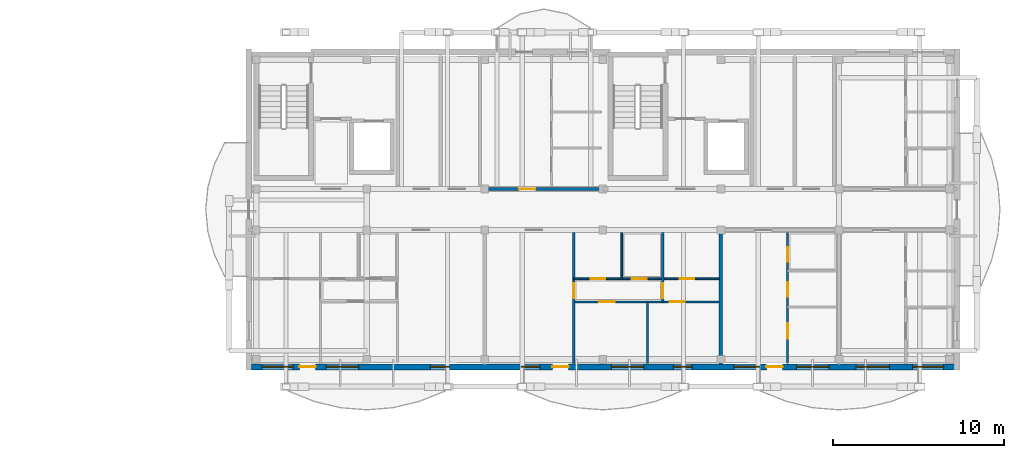
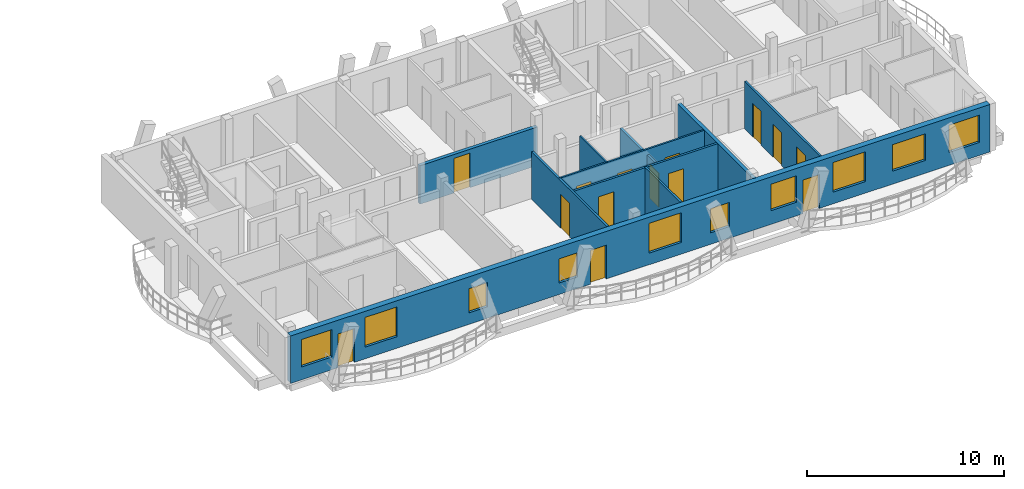
# One storey, part 27 of 44: 14 doors, 10 walls, 10 windows, 24 openings.
"""IFC4 building model written with IfcOpenShell, lengths in metres."""

from ifc_helpers import new_model, si_unit, direction, frame, frame_2d, origin, origin_with_axes, place, context, subcontext, project, spatial, rectangle, extrude, material, layer, layer_set, type_object, element, fill, save


model = new_model("IFC4")

# Units and contexts
model_context = context("Model", 3, precision=1e-05, world=origin(), true_north=direction((0.0, 1.0)))
body_context = subcontext(model_context, "Body", "Model", "MODEL_VIEW")
ifc_project = project(units=[si_unit("LENGTHUNIT", "METRE"), si_unit("AREAUNIT", "SQUARE_METRE"), si_unit("VOLUMEUNIT", "CUBIC_METRE"), si_unit("PLANEANGLEUNIT", "RADIAN"), si_unit("MASSUNIT", "GRAM", prefix="KILO")], contexts=[model_context])

# Site, building, storey
site_placement = place(None, origin())
site = spatial("IfcSite", under=ifc_project, at=site_placement, CompositionType="ELEMENT")
building_placement = place(site_placement, origin())
building = spatial("IfcBuilding", under=site, at=building_placement, Name="Zavelmont Quarter", CompositionType="ELEMENT")
storey_placement = place(building_placement, frame((0.0, 0.0, 20.800048828125)))
storey = spatial("IfcBuildingStorey", under=building, at=storey_placement, Name="L06", CompositionType="ELEMENT", Elevation=20.800048828125)

# Wall, openings, doors, windows
ifc_material_1 = material(Name="Natural Belgian limestone", Category="masonry")
ifc_layer_1 = layer(ifc_material_1, 0.340087890625)
ifc_layer_set_1 = layer_set([ifc_layer_1], Name="Natural Belgian limestone")
wall_type_1 = type_object("IfcWallType", Name="EW03", PredefinedType="STANDARD", material=ifc_layer_set_1)
wall_1_placement = place(storey_placement, frame((126.760009765625, 0.0, 0.0), z_axis=(0.0, 0.0, 1.0), x_axis=(1.0, 0.0, 0.0)))
wall_1 = element("IfcWall", 1, at=wall_1_placement, inside=storey, type_object=wall_type_1, Name="L06 exterior limestone wall EW03", PredefinedType="STANDARD", context=body_context, shape_type="SweptSolid", body=[
    extrude(rectangle(XDim=41.080078125, YDim=0.340087890625, at=frame_2d((20.5400390625, 0.0))), origin(), (0.0, 0.0, 1.0), 2.949951171875),
])
opening_1_placement = place(wall_1_placement, frame((2.79541015625, 0.0, 0.0)))
opening_1 = element("IfcOpeningElement", 2, at=opening_1_placement, cuts=wall_1, Name="Opening DR04", PredefinedType="OPENING", context=body_context, shape_type="SweptSolid", body=[
    extrude(rectangle(XDim=0.949951171875, YDim=2.10009765625, at=frame_2d((0.47509765625, 1.050048828125))), frame((0.0, 0.18212890625, 0.0), z_axis=(0.0, -1.0, 0.0), x_axis=(1.0, 0.0, 0.0)), (0.0, 0.0, 1.0), 0.364013671875),
])
opening_2_placement = place(wall_1_placement, frame((17.59521484375, 0.0, 0.0)))
opening_2 = element("IfcOpeningElement", 3, at=opening_2_placement, cuts=wall_1, Name="Opening DR04", PredefinedType="OPENING", context=body_context, shape_type="SweptSolid", body=[
    extrude(rectangle(XDim=0.949951171875, YDim=2.10009765625, at=frame_2d((0.47509765625, 1.050048828125))), frame((0.0, 0.18212890625, 0.0), z_axis=(0.0, -1.0, 0.0), x_axis=(1.0, 0.0, 0.0)), (0.0, 0.0, 1.0), 0.364013671875),
])
opening_3_placement = place(wall_1_placement, frame((30.09521484375, 0.0, 0.0)))
opening_3 = element("IfcOpeningElement", 4, at=opening_3_placement, cuts=wall_1, Name="Opening DR04", PredefinedType="OPENING", context=body_context, shape_type="SweptSolid", body=[
    extrude(rectangle(XDim=0.949951171875, YDim=2.10009765625, at=frame_2d((0.47509765625, 1.050048828125))), frame((0.0, 0.18212890625, 0.0), z_axis=(0.0, -1.0, 0.0), x_axis=(1.0, 0.0, 0.0)), (0.0, 0.0, 1.0), 0.364013671875),
])
opening_4_placement = place(wall_1_placement, frame((0.6298828125, 0.0, 0.800048828125)))
opening_4 = element("IfcOpeningElement", 5, at=opening_4_placement, cuts=wall_1, Name="Opening WN02", PredefinedType="OPENING", context=body_context, shape_type="SweptSolid", body=[
    extrude(rectangle(XDim=1.800048828125, YDim=1.699951171875, at=frame_2d((0.89990234375, 0.85009765625))), frame((0.0, 0.18212890625, 0.0), z_axis=(0.0, -1.0, 0.0), x_axis=(1.0, 0.0, 0.0)), (0.0, 0.0, 1.0), 0.364013671875),
])
opening_5_placement = place(wall_1_placement, frame((4.360107421875, 0.0, 0.719970703125)))
opening_5 = element("IfcOpeningElement", 6, at=opening_5_placement, cuts=wall_1, Name="Opening WN20", PredefinedType="OPENING", context=body_context, shape_type="SweptSolid", body=[
    extrude(rectangle(XDim=1.89990234375, YDim=1.85009765625, at=frame_2d((0.949951171875, 0.925048828125))), frame((0.0, 0.18212890625, 0.0), z_axis=(0.0, -1.0, 0.0), x_axis=(1.0, 0.0, 0.0)), (0.0, 0.0, 1.0), 0.364013671875),
])
opening_6_placement = place(wall_1_placement, frame((10.4599609375, 0.0, 0.719970703125)))
opening_6 = element("IfcOpeningElement", 7, at=opening_6_placement, cuts=wall_1, Name="Opening WN09", PredefinedType="OPENING", context=body_context, shape_type="SweptSolid", body=[
    extrude(rectangle(XDim=1.10009765625, YDim=1.5, at=frame_2d((0.550048828125, 0.75))), frame((0.0, 0.18212890625, 0.0), z_axis=(0.0, -1.0, 0.0), x_axis=(1.0, 0.0, 0.0)), (0.0, 0.0, 1.0), 0.364013671875),
])
opening_7_placement = place(wall_1_placement, frame((15.760009765625, 0.0, 0.719970703125)))
opening_7 = element("IfcOpeningElement", 8, at=opening_7_placement, cuts=wall_1, Name="Opening WN09", PredefinedType="OPENING", context=body_context, shape_type="SweptSolid", body=[
    extrude(rectangle(XDim=1.10009765625, YDim=1.5, at=frame_2d((0.550048828125, 0.75))), frame((0.0, 0.18212890625, 0.0), z_axis=(0.0, -1.0, 0.0), x_axis=(1.0, 0.0, 0.0)), (0.0, 0.0, 1.0), 0.364013671875),
])
opening_8_placement = place(wall_1_placement, frame((21.04248046875, 0.0, 0.719970703125)))
opening_8 = element("IfcOpeningElement", 9, at=opening_8_placement, cuts=wall_1, Name="Opening WN20", PredefinedType="OPENING", context=body_context, shape_type="SweptSolid", body=[
    extrude(rectangle(XDim=1.89990234375, YDim=1.85009765625, at=frame_2d((0.949951171875, 0.925048828125))), frame((0.0, 0.18212890625, 0.0), z_axis=(0.0, -1.0, 0.0), x_axis=(1.0, 0.0, 0.0)), (0.0, 0.0, 1.0), 0.364013671875),
])
opening_9_placement = place(wall_1_placement, frame((24.659912109375, 0.0, 0.719970703125)))
opening_9 = element("IfcOpeningElement", 10, at=opening_9_placement, cuts=wall_1, Name="Opening WN09", PredefinedType="OPENING", context=body_context, shape_type="SweptSolid", body=[
    extrude(rectangle(XDim=1.10009765625, YDim=1.5, at=frame_2d((0.550048828125, 0.75))), frame((0.0, 0.18212890625, 0.0), z_axis=(0.0, -1.0, 0.0), x_axis=(1.0, 0.0, 0.0)), (0.0, 0.0, 1.0), 0.364013671875),
])
opening_10_placement = place(wall_1_placement, frame((28.2099609375, 0.0, 0.85009765625)))
opening_10 = element("IfcOpeningElement", 11, at=opening_10_placement, cuts=wall_1, Name="Opening WN01", PredefinedType="OPENING", context=body_context, shape_type="SweptSolid", body=[
    extrude(rectangle(XDim=1.5, YDim=1.64990234375, at=frame_2d((0.75, 0.824951171875))), frame((0.0, 0.18212890625, 0.0), z_axis=(0.0, -1.0, 0.0), x_axis=(1.0, 0.0, 0.0)), (0.0, 0.0, 1.0), 0.364013671875),
])
opening_11_placement = place(wall_1_placement, frame((31.860107421875, 0.0, 0.719970703125)))
opening_11 = element("IfcOpeningElement", 12, at=opening_11_placement, cuts=wall_1, Name="Opening WN20", PredefinedType="OPENING", context=body_context, shape_type="SweptSolid", body=[
    extrude(rectangle(XDim=1.89990234375, YDim=1.85009765625, at=frame_2d((0.949951171875, 0.925048828125))), frame((0.0, 0.18212890625, 0.0), z_axis=(0.0, -1.0, 0.0), x_axis=(1.0, 0.0, 0.0)), (0.0, 0.0, 1.0), 0.364013671875),
])
opening_12_placement = place(wall_1_placement, frame((35.3349609375, 0.0, 0.800048828125)))
opening_12 = element("IfcOpeningElement", 13, at=opening_12_placement, cuts=wall_1, Name="Opening WN24", PredefinedType="OPENING", context=body_context, shape_type="SweptSolid", body=[
    extrude(rectangle(XDim=1.949951171875, YDim=1.64990234375, at=frame_2d((0.97509765625, 0.824951171875))), frame((0.0, 0.18212890625, 0.0), z_axis=(0.0, -1.0, 0.0), x_axis=(1.0, 0.0, 0.0)), (0.0, 0.0, 1.0), 0.364013671875),
])
opening_13_placement = place(wall_1_placement, frame((38.64990234375, 0.0, 0.800048828125)))
opening_13 = element("IfcOpeningElement", 14, at=opening_13_placement, cuts=wall_1, Name="Opening WN02", PredefinedType="OPENING", context=body_context, shape_type="SweptSolid", body=[
    extrude(rectangle(XDim=1.800048828125, YDim=1.699951171875, at=frame_2d((0.89990234375, 0.85009765625))), frame((0.0, 0.18212890625, 0.0), z_axis=(0.0, -1.0, 0.0), x_axis=(1.0, 0.0, 0.0)), (0.0, 0.0, 1.0), 0.364013671875),
])
ifc_material_2 = material(Name="Thermally broken aluminium and double safety glass", Category="aluminium")
door_type_1 = type_object("IfcDoorType", Name="DR04", OperationType="NOTDEFINED", PredefinedType="DOOR", material=ifc_material_2)
door_1_placement = place(opening_1_placement, origin_with_axes())
door_1 = element("IfcDoor", 15, at=door_1_placement, inside=storey, type_object=door_type_1, Name="Block D L06 glazed balcony door", OperationType="SINGLE_SWING_RIGHT", OverallHeight=2.10009765625, OverallWidth=0.949951171875, PredefinedType="DOOR", context=body_context, shape_type="SweptSolid", body=[
    extrude(rectangle(XDim=0.949951171875, YDim=2.10009765625, at=frame_2d((0.47509765625, 1.050048828125))), frame((0.0, 0.02490234375, 0.0), z_axis=(0.0, -1.0, 0.0), x_axis=(1.0, 0.0, 0.0)), (0.0, 0.0, 1.0), 0.050048828125),
])
fill(opening_1, door_1)
door_2_placement = place(opening_2_placement, origin_with_axes())
door_2 = element("IfcDoor", 16, at=door_2_placement, inside=storey, type_object=door_type_1, Name="Block D L06 glazed balcony door", OperationType="SINGLE_SWING_RIGHT", OverallHeight=2.10009765625, OverallWidth=0.949951171875, PredefinedType="DOOR", context=body_context, shape_type="SweptSolid", body=[
    extrude(rectangle(XDim=0.949951171875, YDim=2.10009765625, at=frame_2d((0.47509765625, 1.050048828125))), frame((0.0, 0.02490234375, 0.0), z_axis=(0.0, -1.0, 0.0), x_axis=(1.0, 0.0, 0.0)), (0.0, 0.0, 1.0), 0.050048828125),
])
fill(opening_2, door_2)
door_3_placement = place(opening_3_placement, origin_with_axes())
door_3 = element("IfcDoor", 17, at=door_3_placement, inside=storey, type_object=door_type_1, Name="Block D L06 glazed balcony door", OperationType="SINGLE_SWING_RIGHT", OverallHeight=2.10009765625, OverallWidth=0.949951171875, PredefinedType="DOOR", context=body_context, shape_type="SweptSolid", body=[
    extrude(rectangle(XDim=0.949951171875, YDim=2.10009765625, at=frame_2d((0.47509765625, 1.050048828125))), frame((0.0, 0.02490234375, 0.0), z_axis=(0.0, -1.0, 0.0), x_axis=(1.0, 0.0, 0.0)), (0.0, 0.0, 1.0), 0.050048828125),
])
fill(opening_3, door_3)
ifc_material_3 = material(Name="Double low-E insulated glazing in thermally broken aluminium frame", Category="aluminium")
window_type_1 = type_object("IfcWindowType", Name="WN01", PartitioningType="SINGLE_PANEL", PredefinedType="WINDOW", material=ifc_material_3)
window_1_placement = place(opening_10_placement, origin_with_axes())
window_1 = element("IfcWindow", 18, at=window_1_placement, inside=storey, type_object=window_type_1, Name="L06 window WN01", OverallHeight=1.64990234375, OverallWidth=1.5, PartitioningType="SINGLE_PANEL", PredefinedType="WINDOW", context=body_context, shape_type="SweptSolid", body=[
    extrude(rectangle(XDim=1.5, YDim=1.64990234375, at=frame_2d((0.75, 0.824951171875))), frame((0.0, 0.030029296875, 0.0), z_axis=(0.0, -1.0, 0.0), x_axis=(1.0, 0.0, 0.0)), (0.0, 0.0, 1.0), 0.06005859375),
])
fill(opening_10, window_1)
window_type_2 = type_object("IfcWindowType", Name="WN02", PartitioningType="SINGLE_PANEL", PredefinedType="WINDOW", material=ifc_material_3)
window_2_placement = place(opening_4_placement, origin_with_axes())
window_2 = element("IfcWindow", 19, at=window_2_placement, inside=storey, type_object=window_type_2, Name="L06 window WN02", OverallHeight=1.699951171875, OverallWidth=1.800048828125, PartitioningType="SINGLE_PANEL", PredefinedType="WINDOW", context=body_context, shape_type="SweptSolid", body=[
    extrude(rectangle(XDim=1.800048828125, YDim=1.699951171875, at=frame_2d((0.89990234375, 0.85009765625))), frame((0.0, 0.030029296875, 0.0), z_axis=(0.0, -1.0, 0.0), x_axis=(1.0, 0.0, 0.0)), (0.0, 0.0, 1.0), 0.06005859375),
])
fill(opening_4, window_2)
window_3_placement = place(opening_13_placement, origin_with_axes())
window_3 = element("IfcWindow", 20, at=window_3_placement, inside=storey, type_object=window_type_2, Name="L06 window WN02", OverallHeight=1.699951171875, OverallWidth=1.800048828125, PartitioningType="SINGLE_PANEL", PredefinedType="WINDOW", context=body_context, shape_type="SweptSolid", body=[
    extrude(rectangle(XDim=1.800048828125, YDim=1.699951171875, at=frame_2d((0.89990234375, 0.85009765625))), frame((0.0, 0.030029296875, 0.0), z_axis=(0.0, -1.0, 0.0), x_axis=(1.0, 0.0, 0.0)), (0.0, 0.0, 1.0), 0.06005859375),
])
fill(opening_13, window_3)
window_type_3 = type_object("IfcWindowType", Name="WN09", PartitioningType="SINGLE_PANEL", PredefinedType="WINDOW", material=ifc_material_3)
window_4_placement = place(opening_6_placement, origin_with_axes())
window_4 = element("IfcWindow", 21, at=window_4_placement, inside=storey, type_object=window_type_3, Name="L06 window WN09", OverallHeight=1.5, OverallWidth=1.10009765625, PartitioningType="SINGLE_PANEL", PredefinedType="WINDOW", context=body_context, shape_type="SweptSolid", body=[
    extrude(rectangle(XDim=1.10009765625, YDim=1.5, at=frame_2d((0.550048828125, 0.75))), frame((0.0, 0.030029296875, 0.0), z_axis=(0.0, -1.0, 0.0), x_axis=(1.0, 0.0, 0.0)), (0.0, 0.0, 1.0), 0.06005859375),
])
fill(opening_6, window_4)
window_5_placement = place(opening_7_placement, origin_with_axes())
window_5 = element("IfcWindow", 22, at=window_5_placement, inside=storey, type_object=window_type_3, Name="L06 window WN09", OverallHeight=1.5, OverallWidth=1.10009765625, PartitioningType="SINGLE_PANEL", PredefinedType="WINDOW", context=body_context, shape_type="SweptSolid", body=[
    extrude(rectangle(XDim=1.10009765625, YDim=1.5, at=frame_2d((0.550048828125, 0.75))), frame((0.0, 0.030029296875, 0.0), z_axis=(0.0, -1.0, 0.0), x_axis=(1.0, 0.0, 0.0)), (0.0, 0.0, 1.0), 0.06005859375),
])
fill(opening_7, window_5)
window_6_placement = place(opening_9_placement, origin_with_axes())
window_6 = element("IfcWindow", 23, at=window_6_placement, inside=storey, type_object=window_type_3, Name="L06 window WN09", OverallHeight=1.5, OverallWidth=1.10009765625, PartitioningType="SINGLE_PANEL", PredefinedType="WINDOW", context=body_context, shape_type="SweptSolid", body=[
    extrude(rectangle(XDim=1.10009765625, YDim=1.5, at=frame_2d((0.550048828125, 0.75))), frame((0.0, 0.030029296875, 0.0), z_axis=(0.0, -1.0, 0.0), x_axis=(1.0, 0.0, 0.0)), (0.0, 0.0, 1.0), 0.06005859375),
])
fill(opening_9, window_6)
window_type_4 = type_object("IfcWindowType", Name="WN20", PartitioningType="SINGLE_PANEL", PredefinedType="WINDOW", material=ifc_material_3)
window_7_placement = place(opening_5_placement, origin_with_axes())
window_7 = element("IfcWindow", 24, at=window_7_placement, inside=storey, type_object=window_type_4, Name="L06 window WN20", OverallHeight=1.85009765625, OverallWidth=1.89990234375, PartitioningType="SINGLE_PANEL", PredefinedType="WINDOW", context=body_context, shape_type="SweptSolid", body=[
    extrude(rectangle(XDim=1.89990234375, YDim=1.85009765625, at=frame_2d((0.949951171875, 0.925048828125))), frame((0.0, 0.030029296875, 0.0), z_axis=(0.0, -1.0, 0.0), x_axis=(1.0, 0.0, 0.0)), (0.0, 0.0, 1.0), 0.06005859375),
])
fill(opening_5, window_7)
window_8_placement = place(opening_8_placement, origin_with_axes())
window_8 = element("IfcWindow", 25, at=window_8_placement, inside=storey, type_object=window_type_4, Name="L06 window WN20", OverallHeight=1.85009765625, OverallWidth=1.89990234375, PartitioningType="SINGLE_PANEL", PredefinedType="WINDOW", context=body_context, shape_type="SweptSolid", body=[
    extrude(rectangle(XDim=1.89990234375, YDim=1.85009765625, at=frame_2d((0.949951171875, 0.925048828125))), frame((0.0, 0.030029296875, 0.0), z_axis=(0.0, -1.0, 0.0), x_axis=(1.0, 0.0, 0.0)), (0.0, 0.0, 1.0), 0.06005859375),
])
fill(opening_8, window_8)
window_9_placement = place(opening_11_placement, origin_with_axes())
window_9 = element("IfcWindow", 26, at=window_9_placement, inside=storey, type_object=window_type_4, Name="L06 window WN20", OverallHeight=1.85009765625, OverallWidth=1.89990234375, PartitioningType="SINGLE_PANEL", PredefinedType="WINDOW", context=body_context, shape_type="SweptSolid", body=[
    extrude(rectangle(XDim=1.89990234375, YDim=1.85009765625, at=frame_2d((0.949951171875, 0.925048828125))), frame((0.0, 0.030029296875, 0.0), z_axis=(0.0, -1.0, 0.0), x_axis=(1.0, 0.0, 0.0)), (0.0, 0.0, 1.0), 0.06005859375),
])
fill(opening_11, window_9)
window_type_5 = type_object("IfcWindowType", Name="WN24", PartitioningType="SINGLE_PANEL", PredefinedType="WINDOW", material=ifc_material_3)
window_10_placement = place(opening_12_placement, origin_with_axes())
window_10 = element("IfcWindow", 27, at=window_10_placement, inside=storey, type_object=window_type_5, Name="L06 window WN24", OverallHeight=1.64990234375, OverallWidth=1.949951171875, PartitioningType="SINGLE_PANEL", PredefinedType="WINDOW", context=body_context, shape_type="SweptSolid", body=[
    extrude(rectangle(XDim=1.949951171875, YDim=1.64990234375, at=frame_2d((0.97509765625, 0.824951171875))), frame((0.0, 0.030029296875, 0.0), z_axis=(0.0, -1.0, 0.0), x_axis=(1.0, 0.0, 0.0)), (0.0, 0.0, 1.0), 0.06005859375),
])
fill(opening_12, window_10)

# Wall
ifc_material_4 = material(Name="Calcium-silicate blockwork and acoustic plaster", Category="masonry")
ifc_layer_2 = layer(ifc_material_4, 0.199951171875)
ifc_layer_set_2 = layer_set([ifc_layer_2], Name="Calcium-silicate blockwork and acoustic plaster")
wall_type_2 = type_object("IfcWallType", Name="IW01", PredefinedType="PARTITIONING", material=ifc_layer_set_2)
wall_2_placement = place(storey_placement, frame((154.199951171875, 7.85009765625, 0.0), z_axis=(0.0, 0.0, 1.0), x_axis=(0.0, -1.0, 0.0)))
element("IfcWall", 28, at=wall_2_placement, inside=storey, type_object=wall_type_2, Name="L06 Inter-dwelling compartment wall IW01", PredefinedType="PARTITIONING", context=body_context, shape_type="SweptSolid", body=[
    extrude(rectangle(XDim=7.7001953125, YDim=0.199951171875, at=frame_2d((3.85009765625, 0.0))), origin(), (0.0, 0.0, 1.0), 2.949951171875),
])

# Wall, opening, door
wall_3_placement = place(storey_placement, frame((140.39990234375, 10.39990234375, 0.0), z_axis=(0.0, 0.0, 1.0), x_axis=(1.0, 0.0, 0.0)))
wall_3 = element("IfcWall", 29, at=wall_3_placement, inside=storey, type_object=wall_type_2, Name="L06 Corridor compartment wall IW01", PredefinedType="PARTITIONING", context=body_context, shape_type="SweptSolid", body=[
    extrude(rectangle(XDim=6.900146484375, YDim=0.199951171875, at=frame_2d((3.4501953125, 0.0))), origin(), (0.0, 0.0, 1.0), 2.389892578125),
])
opening_14_placement = place(wall_3_placement, frame((2.0, 0.0, 0.0)))
opening_14 = element("IfcOpeningElement", 30, at=opening_14_placement, cuts=wall_3, Name="Opening DR02", PredefinedType="OPENING", context=body_context, shape_type="SweptSolid", body=[
    extrude(rectangle(XDim=0.949951171875, YDim=2.14990234375, at=frame_2d((0.47509765625, 1.074951171875))), frame((0.0, 0.11181640625, 0.0), z_axis=(0.0, -1.0, 0.0), x_axis=(1.0, 0.0, 0.0)), (0.0, 0.0, 1.0), 0.223876953125),
])
ifc_material_5 = material(Name="Solid-core oak fire leaf in steel frame", Category="steel")
door_type_2 = type_object("IfcDoorType", Name="DR02", OperationType="NOTDEFINED", PredefinedType="DOOR", material=ifc_material_5)
door_4_placement = place(opening_14_placement, origin_with_axes())
door_4 = element("IfcDoor", 31, at=door_4_placement, inside=storey, type_object=door_type_2, Name="L06 door DR02", OperationType="SINGLE_SWING_RIGHT", OverallHeight=2.14990234375, OverallWidth=0.949951171875, PredefinedType="DOOR", context=body_context, shape_type="SweptSolid", body=[
    extrude(rectangle(XDim=0.949951171875, YDim=2.14990234375, at=frame_2d((0.47509765625, 1.074951171875))), frame((0.0, 0.02490234375, 0.0), z_axis=(0.0, -1.0, 0.0), x_axis=(1.0, 0.0, 0.0)), (0.0, 0.0, 1.0), 0.050048828125),
])
fill(opening_14, door_4)

ifc_material_6 = material(Name="Double gypsum board on acoustic steel stud", Category="steel")
ifc_layer_3 = layer(ifc_material_6, 0.125)
ifc_layer_set_3 = layer_set([ifc_layer_3], Name="Double gypsum board on acoustic steel stud")
wall_type_3 = type_object("IfcWallType", Name="IW03", PredefinedType="PARTITIONING", material=ifc_layer_set_3)
wall_4_placement = place(storey_placement, frame((145.60009765625, 7.85009765625, 0.0), z_axis=(0.0, 0.0, 1.0), x_axis=(0.0, -1.0, 0.0)))
wall_4 = element("IfcWall", 32, at=wall_4_placement, inside=storey, type_object=wall_type_3, Name="L06 Partition IW03", PredefinedType="PARTITIONING", context=body_context, shape_type="SweptSolid", body=[
    extrude(rectangle(XDim=7.650146484375, YDim=0.125, at=frame_2d((3.8251953125, 0.0))), origin(), (0.0, 0.0, 1.0), 2.949951171875),
])
opening_15_placement = place(wall_4_placement, frame((2.949951171875, 0.0, 0.0)))
opening_15 = element("IfcOpeningElement", 33, at=opening_15_placement, cuts=wall_4, Name="Opening DR05", PredefinedType="OPENING", context=body_context, shape_type="SweptSolid", body=[
    extrude(rectangle(XDim=0.89990234375, YDim=2.10009765625, at=frame_2d((0.449951171875, 1.050048828125))), frame((0.0, 0.074462890625, 0.0), z_axis=(0.0, -1.0, 0.0), x_axis=(1.0, 0.0, 0.0)), (0.0, 0.0, 1.0), 0.14892578125),
])
ifc_material_7 = material(Name="Engineered oak flush interior door")
door_type_3 = type_object("IfcDoorType", Name="DR05", OperationType="NOTDEFINED", PredefinedType="DOOR", material=ifc_material_7)
door_5_placement = place(opening_15_placement, origin_with_axes())
door_5 = element("IfcDoor", 34, at=door_5_placement, inside=storey, type_object=door_type_3, Name="L06 door DR05", OperationType="SINGLE_SWING_LEFT", OverallHeight=2.10009765625, OverallWidth=0.89990234375, PredefinedType="DOOR", context=body_context, shape_type="SweptSolid", body=[
    extrude(rectangle(XDim=0.89990234375, YDim=2.10009765625, at=frame_2d((0.449951171875, 1.050048828125))), frame((0.0, 0.02490234375, 0.0), z_axis=(0.0, -1.0, 0.0), x_axis=(1.0, 0.0, 0.0)), (0.0, 0.0, 1.0), 0.050048828125),
])
fill(opening_15, door_5)

wall_5_placement = place(storey_placement, frame((150.800048828125, 7.85009765625, 0.0), z_axis=(0.0, 0.0, 1.0), x_axis=(0.0, -1.0, 0.0)))
wall_5 = element("IfcWall", 35, at=wall_5_placement, inside=storey, type_object=wall_type_3, Name="L06 Partition IW03", PredefinedType="PARTITIONING", context=body_context, shape_type="SweptSolid", body=[
    extrude(rectangle(XDim=4.050048828125, YDim=0.125, at=frame_2d((2.02490234375, 0.0))), origin(), (0.0, 0.0, 1.0), 2.58984375),
])
opening_16_placement = place(wall_5_placement, frame((2.949951171875, 0.0, 0.0)))
opening_16 = element("IfcOpeningElement", 36, at=opening_16_placement, cuts=wall_5, Name="Opening DR05", PredefinedType="OPENING", context=body_context, shape_type="SweptSolid", body=[
    extrude(rectangle(XDim=0.89990234375, YDim=2.10009765625, at=frame_2d((0.449951171875, 1.050048828125))), frame((0.0, 0.074462890625, 0.0), z_axis=(0.0, -1.0, 0.0), x_axis=(1.0, 0.0, 0.0)), (0.0, 0.0, 1.0), 0.14892578125),
])
door_6_placement = place(opening_16_placement, frame((0.89990234375, 0.0, 0.0), z_axis=(0.0, 0.0, 1.0), x_axis=(-1.0, 0.0, 0.0)))
door_6 = element("IfcDoor", 37, at=door_6_placement, inside=storey, type_object=door_type_3, Name="L06 door DR05", OperationType="SINGLE_SWING_RIGHT", OverallHeight=2.10009765625, OverallWidth=0.89990234375, PredefinedType="DOOR", context=body_context, shape_type="SweptSolid", body=[
    extrude(rectangle(XDim=0.89990234375, YDim=2.10009765625, at=frame_2d((0.449951171875, 1.050048828125))), frame((0.0, 0.02490234375, 0.0), z_axis=(0.0, -1.0, 0.0), x_axis=(1.0, 0.0, 0.0)), (0.0, 0.0, 1.0), 0.050048828125),
])
fill(opening_16, door_6)

# Wall
wall_6_placement = place(storey_placement, frame((149.89990234375, 3.800048828125, 0.0), z_axis=(0.0, 0.0, 1.0), x_axis=(0.0, -1.0, 0.0)))
element("IfcWall", 38, at=wall_6_placement, inside=storey, type_object=wall_type_3, Name="L06 Partition IW03", PredefinedType="PARTITIONING", context=body_context, shape_type="SweptSolid", body=[
    extrude(rectangle(XDim=3.60009765625, YDim=0.125, at=frame_2d((1.800048828125, 0.0))), origin(), (0.0, 0.0, 1.0), 2.949951171875),
])

# Wall, openings, doors
wall_7_placement = place(storey_placement, frame((145.60009765625, 3.800048828125, 0.0), z_axis=(0.0, 0.0, 1.0), x_axis=(1.0, 0.0, 0.0)))
wall_7 = element("IfcWall", 39, at=wall_7_placement, inside=storey, type_object=wall_type_3, Name="L06 Partition IW03", PredefinedType="PARTITIONING", context=body_context, shape_type="SweptSolid", body=[
    extrude(rectangle(XDim=8.5, YDim=0.125, at=frame_2d((4.25, 0.0))), origin(), (0.0, 0.0, 1.0), 2.949951171875),
])
opening_17_placement = place(wall_7_placement, frame((1.5, 0.0, 0.0)))
opening_17 = element("IfcOpeningElement", 40, at=opening_17_placement, cuts=wall_7, Name="Opening DR05", PredefinedType="OPENING", context=body_context, shape_type="SweptSolid", body=[
    extrude(rectangle(XDim=0.89990234375, YDim=2.10009765625, at=frame_2d((0.449951171875, 1.050048828125))), frame((0.0, 0.074462890625, 0.0), z_axis=(0.0, -1.0, 0.0), x_axis=(1.0, 0.0, 0.0)), (0.0, 0.0, 1.0), 0.14892578125),
])
opening_18_placement = place(wall_7_placement, frame((5.60009765625, 0.0, 0.0)))
opening_18 = element("IfcOpeningElement", 41, at=opening_18_placement, cuts=wall_7, Name="Opening DR05", PredefinedType="OPENING", context=body_context, shape_type="SweptSolid", body=[
    extrude(rectangle(XDim=0.89990234375, YDim=2.10009765625, at=frame_2d((0.449951171875, 1.050048828125))), frame((0.0, 0.074462890625, 0.0), z_axis=(0.0, -1.0, 0.0), x_axis=(1.0, 0.0, 0.0)), (0.0, 0.0, 1.0), 0.14892578125),
])
door_7_placement = place(opening_17_placement, frame((0.89990234375, 0.0, 0.0), z_axis=(0.0, 0.0, 1.0), x_axis=(-1.0, 0.0, 0.0)))
door_7 = element("IfcDoor", 42, at=door_7_placement, inside=storey, type_object=door_type_3, Name="L06 door DR05", OperationType="SINGLE_SWING_RIGHT", OverallHeight=2.10009765625, OverallWidth=0.89990234375, PredefinedType="DOOR", context=body_context, shape_type="SweptSolid", body=[
    extrude(rectangle(XDim=0.89990234375, YDim=2.10009765625, at=frame_2d((0.449951171875, 1.050048828125))), frame((0.0, 0.02490234375, 0.0), z_axis=(0.0, -1.0, 0.0), x_axis=(1.0, 0.0, 0.0)), (0.0, 0.0, 1.0), 0.050048828125),
])
fill(opening_17, door_7)
door_8_placement = place(opening_18_placement, origin_with_axes())
door_8 = element("IfcDoor", 43, at=door_8_placement, inside=storey, type_object=door_type_3, Name="L06 door DR05", OperationType="SINGLE_SWING_LEFT", OverallHeight=2.10009765625, OverallWidth=0.89990234375, PredefinedType="DOOR", context=body_context, shape_type="SweptSolid", body=[
    extrude(rectangle(XDim=0.89990234375, YDim=2.10009765625, at=frame_2d((0.449951171875, 1.050048828125))), frame((0.0, 0.02490234375, 0.0), z_axis=(0.0, -1.0, 0.0), x_axis=(1.0, 0.0, 0.0)), (0.0, 0.0, 1.0), 0.050048828125),
])
fill(opening_18, door_8)

wall_8_placement = place(storey_placement, frame((158.10009765625, 7.85009765625, 0.0), z_axis=(0.0, 0.0, 1.0), x_axis=(0.0, -1.0, 0.0)))
wall_8 = element("IfcWall", 44, at=wall_8_placement, inside=storey, type_object=wall_type_3, Name="L06 Partition IW03", PredefinedType="PARTITIONING", context=body_context, shape_type="SweptSolid", body=[
    extrude(rectangle(XDim=7.650146484375, YDim=0.125, at=frame_2d((3.8251953125, 0.0))), origin(), (0.0, 0.0, 1.0), 2.949951171875),
])
opening_19_placement = place(wall_8_placement, frame((0.85009765625, 0.0, 0.0)))
opening_19 = element("IfcOpeningElement", 45, at=opening_19_placement, cuts=wall_8, Name="Opening DR16", PredefinedType="OPENING", context=body_context, shape_type="SweptSolid", body=[
    extrude(rectangle(XDim=0.85009765625, YDim=2.10009765625, at=frame_2d((0.425048828125, 1.050048828125))), frame((0.0, 0.074462890625, 0.0), z_axis=(0.0, -1.0, 0.0), x_axis=(1.0, 0.0, 0.0)), (0.0, 0.0, 1.0), 0.14892578125),
])
opening_20_placement = place(wall_8_placement, frame((2.89990234375, 0.0, 0.0)))
opening_20 = element("IfcOpeningElement", 46, at=opening_20_placement, cuts=wall_8, Name="Opening DR06", PredefinedType="OPENING", context=body_context, shape_type="SweptSolid", body=[
    extrude(rectangle(XDim=0.85009765625, YDim=2.050048828125, at=frame_2d((0.425048828125, 1.02490234375))), frame((0.0, 0.074462890625, 0.0), z_axis=(0.0, -1.0, 0.0), x_axis=(1.0, 0.0, 0.0)), (0.0, 0.0, 1.0), 0.14892578125),
])
opening_21_placement = place(wall_8_placement, frame((5.300048828125, 0.0, 0.0)))
opening_21 = element("IfcOpeningElement", 47, at=opening_21_placement, cuts=wall_8, Name="Opening DR05", PredefinedType="OPENING", context=body_context, shape_type="SweptSolid", body=[
    extrude(rectangle(XDim=0.89990234375, YDim=2.10009765625, at=frame_2d((0.449951171875, 1.050048828125))), frame((0.0, 0.074462890625, 0.0), z_axis=(0.0, -1.0, 0.0), x_axis=(1.0, 0.0, 0.0)), (0.0, 0.0, 1.0), 0.14892578125),
])
door_9_placement = place(opening_21_placement, origin_with_axes())
door_9 = element("IfcDoor", 48, at=door_9_placement, inside=storey, type_object=door_type_3, Name="L06 door DR05", OperationType="SINGLE_SWING_RIGHT", OverallHeight=2.10009765625, OverallWidth=0.89990234375, PredefinedType="DOOR", context=body_context, shape_type="SweptSolid", body=[
    extrude(rectangle(XDim=0.89990234375, YDim=2.10009765625, at=frame_2d((0.449951171875, 1.050048828125))), frame((0.0, 0.02490234375, 0.0), z_axis=(0.0, -1.0, 0.0), x_axis=(1.0, 0.0, 0.0)), (0.0, 0.0, 1.0), 0.050048828125),
])
fill(opening_21, door_9)
ifc_material_8 = material(Name="Moisture-resistant painted wet-room door")
door_type_4 = type_object("IfcDoorType", Name="DR06", OperationType="NOTDEFINED", PredefinedType="DOOR", material=ifc_material_8)
door_10_placement = place(opening_20_placement, frame((0.85009765625, 0.0, 0.0), z_axis=(0.0, 0.0, 1.0), x_axis=(-1.0, 0.0, 0.0)))
door_10 = element("IfcDoor", 49, at=door_10_placement, inside=storey, type_object=door_type_4, Name="L06 door DR06", OperationType="SINGLE_SWING_LEFT", OverallHeight=2.050048828125, OverallWidth=0.85009765625, PredefinedType="DOOR", context=body_context, shape_type="SweptSolid", body=[
    extrude(rectangle(XDim=0.85009765625, YDim=2.050048828125, at=frame_2d((0.425048828125, 1.02490234375))), frame((0.0, 0.02490234375, 0.0), z_axis=(0.0, -1.0, 0.0), x_axis=(1.0, 0.0, 0.0)), (0.0, 0.0, 1.0), 0.050048828125),
])
fill(opening_20, door_10)
door_type_5 = type_object("IfcDoorType", Name="DR16", OperationType="NOTDEFINED", PredefinedType="DOOR", material=ifc_material_7)
door_11_placement = place(opening_19_placement, origin_with_axes())
door_11 = element("IfcDoor", 50, at=door_11_placement, inside=storey, type_object=door_type_5, Name="L06 door DR16", OperationType="SINGLE_SWING_RIGHT", OverallHeight=2.10009765625, OverallWidth=0.85009765625, PredefinedType="DOOR", context=body_context, shape_type="SweptSolid", body=[
    extrude(rectangle(XDim=0.85009765625, YDim=2.10009765625, at=frame_2d((0.425048828125, 1.050048828125))), frame((0.0, 0.02490234375, 0.0), z_axis=(0.0, -1.0, 0.0), x_axis=(1.0, 0.0, 0.0)), (0.0, 0.0, 1.0), 0.050048828125),
])
fill(opening_19, door_11)

# Wall
ifc_material_9 = material(Name="Moisture-resistant gypsum board on steel stud", Category="steel")
ifc_layer_4 = layer(ifc_material_9, 0.10009765625)
ifc_layer_set_4 = layer_set([ifc_layer_4], Name="Moisture-resistant gypsum board on steel stud")
wall_type_4 = type_object("IfcWallType", Name="IW04", PredefinedType="PARTITIONING", material=ifc_layer_set_4)
wall_9_placement = place(storey_placement, frame((148.39990234375, 7.85009765625, 0.0), z_axis=(0.0, 0.0, 1.0), x_axis=(0.0, -1.0, 0.0)))
element("IfcWall", 51, at=wall_9_placement, inside=storey, type_object=wall_type_4, Name="L06 Partition IW04", PredefinedType="PARTITIONING", context=body_context, shape_type="SweptSolid", body=[
    extrude(rectangle(XDim=2.7001953125, YDim=0.10009765625, at=frame_2d((1.35009765625, 0.0))), origin(), (0.0, 0.0, 1.0), 2.949951171875),
])

# Wall, openings, doors
wall_10_placement = place(storey_placement, frame((145.60009765625, 5.14990234375, 0.0), z_axis=(0.0, 0.0, 1.0), x_axis=(1.0, 0.0, 0.0)))
wall_10 = element("IfcWall", 52, at=wall_10_placement, inside=storey, type_object=wall_type_4, Name="L06 Partition IW04", PredefinedType="PARTITIONING", context=body_context, shape_type="SweptSolid", body=[
    extrude(rectangle(XDim=8.5, YDim=0.10009765625, at=frame_2d((4.25, 0.0))), origin(), (0.0, 0.0, 1.0), 2.949951171875),
])
opening_22_placement = place(wall_10_placement, frame((1.0, 0.0, 0.0)))
opening_22 = element("IfcOpeningElement", 53, at=opening_22_placement, cuts=wall_10, Name="Opening DR16", PredefinedType="OPENING", context=body_context, shape_type="SweptSolid", body=[
    extrude(rectangle(XDim=0.85009765625, YDim=2.10009765625, at=frame_2d((0.425048828125, 1.050048828125))), frame((0.0, 0.06201171875, 0.0), z_axis=(0.0, -1.0, 0.0), x_axis=(1.0, 0.0, 0.0)), (0.0, 0.0, 1.0), 0.1240234375),
])
opening_23_placement = place(wall_10_placement, frame((3.39990234375, 0.0, 0.0)))
opening_23 = element("IfcOpeningElement", 54, at=opening_23_placement, cuts=wall_10, Name="Opening DR06", PredefinedType="OPENING", context=body_context, shape_type="SweptSolid", body=[
    extrude(rectangle(XDim=0.85009765625, YDim=2.050048828125, at=frame_2d((0.425048828125, 1.02490234375))), frame((0.0, 0.06201171875, 0.0), z_axis=(0.0, -1.0, 0.0), x_axis=(1.0, 0.0, 0.0)), (0.0, 0.0, 1.0), 0.1240234375),
])
opening_24_placement = place(wall_10_placement, frame((6.199951171875, 0.0, 0.0)))
opening_24 = element("IfcOpeningElement", 55, at=opening_24_placement, cuts=wall_10, Name="Opening DR06", PredefinedType="OPENING", context=body_context, shape_type="SweptSolid", body=[
    extrude(rectangle(XDim=0.85009765625, YDim=2.050048828125, at=frame_2d((0.425048828125, 1.02490234375))), frame((0.0, 0.06201171875, 0.0), z_axis=(0.0, -1.0, 0.0), x_axis=(1.0, 0.0, 0.0)), (0.0, 0.0, 1.0), 0.1240234375),
])
door_12_placement = place(opening_23_placement, frame((0.85009765625, 0.0, 0.0), z_axis=(0.0, 0.0, 1.0), x_axis=(-1.0, 0.0, 0.0)))
door_12 = element("IfcDoor", 56, at=door_12_placement, inside=storey, type_object=door_type_4, Name="L06 door DR06", OperationType="SINGLE_SWING_RIGHT", OverallHeight=2.050048828125, OverallWidth=0.85009765625, PredefinedType="DOOR", context=body_context, shape_type="SweptSolid", body=[
    extrude(rectangle(XDim=0.85009765625, YDim=2.050048828125, at=frame_2d((0.425048828125, 1.02490234375))), frame((0.0, 0.02490234375, 0.0), z_axis=(0.0, -1.0, 0.0), x_axis=(1.0, 0.0, 0.0)), (0.0, 0.0, 1.0), 0.050048828125),
])
fill(opening_23, door_12)
door_13_placement = place(opening_24_placement, origin_with_axes())
door_13 = element("IfcDoor", 57, at=door_13_placement, inside=storey, type_object=door_type_4, Name="L06 door DR06", OperationType="SINGLE_SWING_LEFT", OverallHeight=2.050048828125, OverallWidth=0.85009765625, PredefinedType="DOOR", context=body_context, shape_type="SweptSolid", body=[
    extrude(rectangle(XDim=0.85009765625, YDim=2.050048828125, at=frame_2d((0.425048828125, 1.02490234375))), frame((0.0, 0.02490234375, 0.0), z_axis=(0.0, -1.0, 0.0), x_axis=(1.0, 0.0, 0.0)), (0.0, 0.0, 1.0), 0.050048828125),
])
fill(opening_24, door_13)
door_14_placement = place(opening_22_placement, origin_with_axes())
door_14 = element("IfcDoor", 58, at=door_14_placement, inside=storey, type_object=door_type_5, Name="L06 door DR16", OperationType="SINGLE_SWING_LEFT", OverallHeight=2.10009765625, OverallWidth=0.85009765625, PredefinedType="DOOR", context=body_context, shape_type="SweptSolid", body=[
    extrude(rectangle(XDim=0.85009765625, YDim=2.10009765625, at=frame_2d((0.425048828125, 1.050048828125))), frame((0.0, 0.02490234375, 0.0), z_axis=(0.0, -1.0, 0.0), x_axis=(1.0, 0.0, 0.0)), (0.0, 0.0, 1.0), 0.050048828125),
])
fill(opening_22, door_14)

save(model, "model.ifc")
